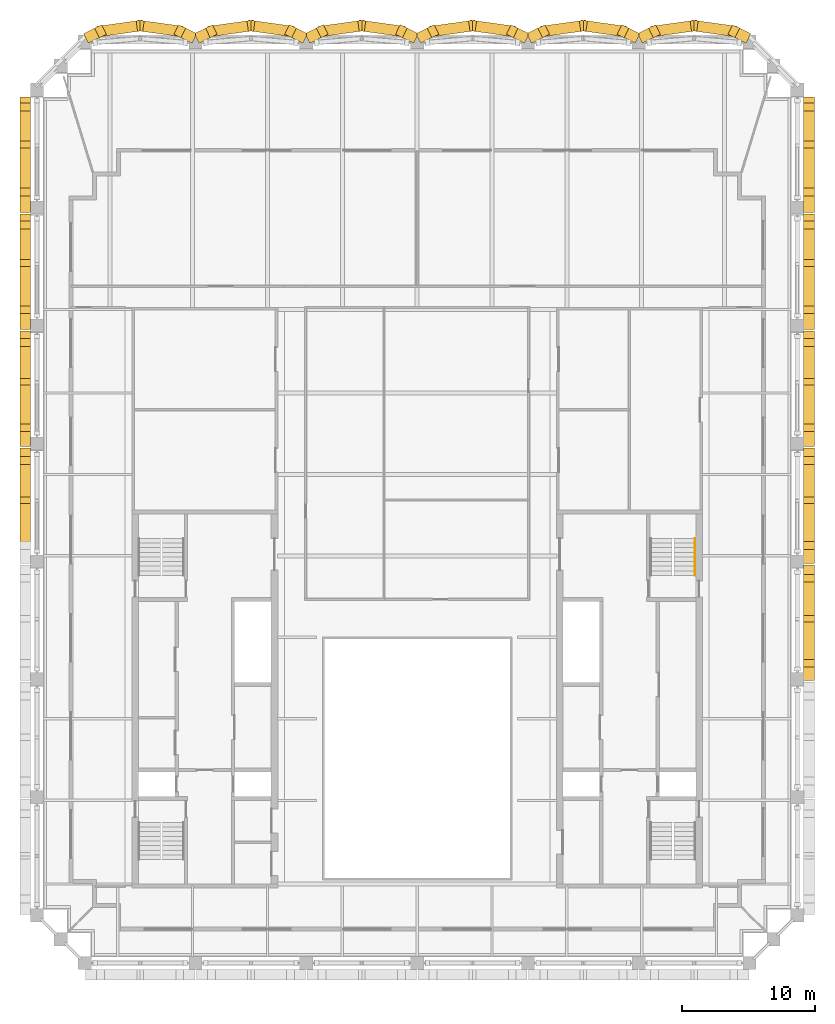
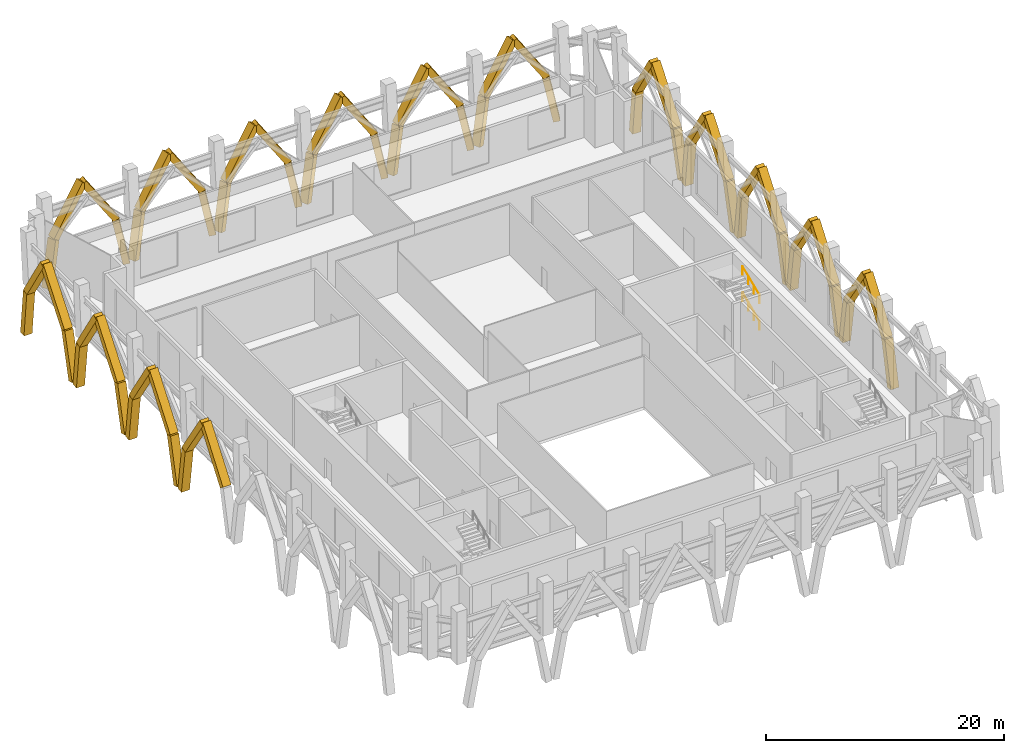
# One storey, part 13 of 13: 59 coverings, 2 railings.
"""IFC4 building model written with IfcOpenShell, lengths in metres."""

from ifc_helpers import new_model, si_unit, direction, frame, origin, origin_2d, place, context, subcontext, project, spatial, rectangle, circle, extrude, material, material_profile, profile_set, type_object, element, save


model = new_model("IFC4")

# Units and contexts
model_context = context("Model", 3, precision=1e-05, world=origin(), true_north=direction((0.0, 1.0)))
body_context = subcontext(model_context, "Body", "Model", "MODEL_VIEW")
ifc_project = project(units=[si_unit("LENGTHUNIT", "METRE"), si_unit("AREAUNIT", "SQUARE_METRE"), si_unit("VOLUMEUNIT", "CUBIC_METRE"), si_unit("PLANEANGLEUNIT", "RADIAN"), si_unit("MASSUNIT", "GRAM", prefix="KILO")], contexts=[model_context])

# Site, building, storey
site_placement = place(None, origin())
site = spatial("IfcSite", under=ifc_project, at=site_placement, CompositionType="ELEMENT")
building_placement = place(site_placement, origin())
building = spatial("IfcBuilding", under=site, at=building_placement, Name="Ogive Exchange Tower", CompositionType="ELEMENT")
storey_placement = place(building_placement, frame((0.0, 0.0, 363.60009765625)))
storey = spatial("IfcBuildingStorey", under=building, at=storey_placement, Name="L80", CompositionType="ELEMENT", Elevation=363.60009765625)

# Coverings
ifc_material_1 = material(Name="Precast concrete C50/60", Category="concrete")
ifc_material_profile = material_profile(ifc_material_1, rectangle(XDim=0.800048828125, YDim=0.60009765625, at=origin_2d()), Name="RIB 800 x 600")
ifc_profile_set = profile_set([ifc_material_profile], Name="Precast concrete C50/60")
covering_type = type_object("IfcCoveringType", Name="Precast tracery rib 800 x 600 C50/60", PredefinedType="CLADDING", material=ifc_profile_set)
covering_1_placement = place(storey_placement, frame((29.530029296875, 13.18603515625, -4.2001953125), z_axis=(0.0, 0.215254606968, 0.976557962529), x_axis=(-1.0, 0.0, 0.0)))
element("IfcCovering", 1, at=covering_1_placement, inside=storey, type_object=covering_type, Name="Tracery rib 11a", PredefinedType="CLADDING", context=body_context, shape_type="SweptSolid", body=[
    extrude(rectangle(XDim=0.800048828125, YDim=0.60009765625, at=origin_2d()), origin(), (0.0, 0.0, 1.0), 4.6591796875),
])
covering_2_placement = place(storey_placement, frame((29.530029296875, 14.18896484375, 0.349853515625), z_axis=(0.0, 0.593128303464, 0.80510795278), x_axis=(-1.0, 0.0, 0.0)))
element("IfcCovering", 2, at=covering_2_placement, inside=storey, type_object=covering_type, Name="Tracery rib 11a", PredefinedType="CLADDING", context=body_context, shape_type="SweptSolid", body=[
    extrude(rectangle(XDim=0.800048828125, YDim=0.60009765625, at=origin_2d()), origin(), (0.0, 0.0, 1.0), 5.6513671875),
])
covering_3_placement = place(storey_placement, frame((29.530029296875, 21.304931640625, -4.2001953125), z_axis=(0.0, -0.153547099425, 0.988141330103), x_axis=(1.0, 0.0, 0.0)))
element("IfcCovering", 3, at=covering_3_placement, inside=storey, type_object=covering_type, Name="Tracery rib 11b", PredefinedType="CLADDING", context=body_context, shape_type="SweptSolid", body=[
    extrude(rectangle(XDim=0.800048828125, YDim=0.60009765625, at=origin_2d()), origin(), (0.0, 0.0, 1.0), 4.604736328125),
])
covering_4_placement = place(storey_placement, frame((29.530029296875, 20.597900390625, 0.349853515625), z_axis=(0.0, -0.557667039422, 0.830064740332), x_axis=(1.0, 0.0, 0.0)))
element("IfcCovering", 4, at=covering_4_placement, inside=storey, type_object=covering_type, Name="Tracery rib 11b", PredefinedType="CLADDING", context=body_context, shape_type="SweptSolid", body=[
    extrude(rectangle(XDim=0.800048828125, YDim=0.60009765625, at=origin_2d()), origin(), (0.0, 0.0, 1.0), 5.4814453125),
])
covering_5_placement = place(storey_placement, frame((29.530029296875, 22.0048828125, -4.2001953125), z_axis=(0.0, 0.227099114365, 0.973871650812), x_axis=(-1.0, 0.0, 0.0)))
element("IfcCovering", 5, at=covering_5_placement, inside=storey, type_object=covering_type, Name="Tracery rib 12a", PredefinedType="CLADDING", context=body_context, shape_type="SweptSolid", body=[
    extrude(rectangle(XDim=0.800048828125, YDim=0.60009765625, at=origin_2d()), origin(), (0.0, 0.0, 1.0), 4.672119140625),
])
covering_6_placement = place(storey_placement, frame((29.530029296875, 23.06591796875, 0.349853515625), z_axis=(0.0, 0.599841999568, 0.800118475948), x_axis=(-1.0, 0.0, 0.0)))
element("IfcCovering", 6, at=covering_6_placement, inside=storey, type_object=covering_type, Name="Tracery rib 12a", PredefinedType="CLADDING", context=body_context, shape_type="SweptSolid", body=[
    extrude(rectangle(XDim=0.800048828125, YDim=0.60009765625, at=origin_2d()), origin(), (0.0, 0.0, 1.0), 5.686767578125),
])
covering_7_placement = place(storey_placement, frame((29.530029296875, 30.123046875, -4.2001953125), z_axis=(0.0, -0.140982564658, 0.990012078948), x_axis=(1.0, 0.0, 0.0)))
element("IfcCovering", 7, at=covering_7_placement, inside=storey, type_object=covering_type, Name="Tracery rib 12b", PredefinedType="CLADDING", context=body_context, shape_type="SweptSolid", body=[
    extrude(rectangle(XDim=0.800048828125, YDim=0.60009765625, at=origin_2d()), origin(), (0.0, 0.0, 1.0), 4.595947265625),
])
covering_8_placement = place(storey_placement, frame((29.530029296875, 29.47509765625, 0.349853515625), z_axis=(0.0, -0.550204741381, 0.835029785434), x_axis=(1.0, 0.0, 0.0)))
element("IfcCovering", 8, at=covering_8_placement, inside=storey, type_object=covering_type, Name="Tracery rib 12b", PredefinedType="CLADDING", context=body_context, shape_type="SweptSolid", body=[
    extrude(rectangle(XDim=0.800048828125, YDim=0.60009765625, at=origin_2d()), origin(), (0.0, 0.0, 1.0), 5.448974609375),
])
covering_9_placement = place(storey_placement, frame((29.530029296875, 30.822998046875, -4.2001953125), z_axis=(0.0, 0.239040208446, 0.971009669749), x_axis=(-1.0, 0.0, 0.0)))
element("IfcCovering", 9, at=covering_9_placement, inside=storey, type_object=covering_type, Name="Tracery rib 13a", PredefinedType="CLADDING", context=body_context, shape_type="SweptSolid", body=[
    extrude(rectangle(XDim=0.800048828125, YDim=0.60009765625, at=origin_2d()), origin(), (0.0, 0.0, 1.0), 4.685791015625),
])
covering_10_placement = place(storey_placement, frame((29.530029296875, 31.943115234375, 0.349853515625), z_axis=(0.0, 0.606512259074, 0.795074134653), x_axis=(-1.0, 0.0, 0.0)))
element("IfcCovering", 10, at=covering_10_placement, inside=storey, type_object=covering_type, Name="Tracery rib 13a", PredefinedType="CLADDING", context=body_context, shape_type="SweptSolid", body=[
    extrude(rectangle(XDim=0.800048828125, YDim=0.60009765625, at=origin_2d()), origin(), (0.0, 0.0, 1.0), 5.722900390625),
])
covering_11_placement = place(storey_placement, frame((29.530029296875, 38.94091796875, -4.2001953125), z_axis=(0.0, -0.128349537581, 0.991728993326), x_axis=(1.0, 0.0, 0.0)))
element("IfcCovering", 11, at=covering_11_placement, inside=storey, type_object=covering_type, Name="Tracery rib 13b", PredefinedType="CLADDING", context=body_context, shape_type="SweptSolid", body=[
    extrude(rectangle(XDim=0.800048828125, YDim=0.60009765625, at=origin_2d()), origin(), (0.0, 0.0, 1.0), 4.587890625),
])
covering_12_placement = place(storey_placement, frame((29.530029296875, 38.35205078125, 0.349853515625), z_axis=(0.0, -0.542449220469, 0.840088592478), x_axis=(1.0, 0.0, 0.0)))
element("IfcCovering", 12, at=covering_12_placement, inside=storey, type_object=covering_type, Name="Tracery rib 13b", PredefinedType="CLADDING", context=body_context, shape_type="SweptSolid", body=[
    extrude(rectangle(XDim=0.800048828125, YDim=0.60009765625, at=origin_2d()), origin(), (0.0, 0.0, 1.0), 5.416259765625),
])
covering_13_placement = place(storey_placement, frame((29.530029296875, 39.64111328125, -4.2001953125), z_axis=(0.0, 0.251019838357, 0.967981942368), x_axis=(-1.0, 0.0, 0.0)))
element("IfcCovering", 13, at=covering_13_placement, inside=storey, type_object=covering_type, Name="Tracery rib 14a", PredefinedType="CLADDING", context=body_context, shape_type="SweptSolid", body=[
    extrude(rectangle(XDim=0.800048828125, YDim=0.60009765625, at=origin_2d()), origin(), (0.0, 0.0, 1.0), 4.700439453125),
])
covering_14_placement = place(storey_placement, frame((29.530029296875, 40.821044921875, 0.349853515625), z_axis=(0.0, 0.61287160665, 0.790182506616), x_axis=(-1.0, 0.0, 0.0)))
element("IfcCovering", 14, at=covering_14_placement, inside=storey, type_object=covering_type, Name="Tracery rib 14a", PredefinedType="CLADDING", context=body_context, shape_type="SweptSolid", body=[
    extrude(rectangle(XDim=0.800048828125, YDim=0.60009765625, at=origin_2d()), origin(), (0.0, 0.0, 1.0), 5.75830078125),
])
covering_15_placement = place(storey_placement, frame((29.530029296875, 47.759033203125, -4.2001953125), z_axis=(0.0, -0.115706305329, 0.993283469563), x_axis=(1.0, 0.0, 0.0)))
element("IfcCovering", 15, at=covering_15_placement, inside=storey, type_object=covering_type, Name="Tracery rib 14b", PredefinedType="CLADDING", context=body_context, shape_type="SweptSolid", body=[
    extrude(rectangle(XDim=0.800048828125, YDim=0.60009765625, at=origin_2d()), origin(), (0.0, 0.0, 1.0), 4.580810546875),
])
covering_16_placement = place(storey_placement, frame((29.530029296875, 47.22900390625, 0.349853515625), z_axis=(0.0, -0.534682024179, 0.845053331465), x_axis=(1.0, 0.0, 0.0)))
element("IfcCovering", 16, at=covering_16_placement, inside=storey, type_object=covering_type, Name="Tracery rib 14b", PredefinedType="CLADDING", context=body_context, shape_type="SweptSolid", body=[
    extrude(rectangle(XDim=0.800048828125, YDim=0.60009765625, at=origin_2d()), origin(), (0.0, 0.0, 1.0), 5.38427734375),
])
covering_17_placement = place(storey_placement, frame((29.530029296875, 48.458984375, -4.2001953125), z_axis=(0.0, 0.262740648098, 0.964866494307), x_axis=(-1.0, 0.0, 0.0)))
element("IfcCovering", 17, at=covering_17_placement, inside=storey, type_object=covering_type, Name="Tracery rib 15a", PredefinedType="CLADDING", context=body_context, shape_type="SweptSolid", body=[
    extrude(rectangle(XDim=0.800048828125, YDim=0.60009765625, at=origin_2d()), origin(), (0.0, 0.0, 1.0), 4.7158203125),
])
covering_18_placement = place(storey_placement, frame((29.530029296875, 49.697998046875, 0.349853515625), z_axis=(0.0, 0.619192006969, 0.785239618528), x_axis=(-1.0, 0.0, 0.0)))
element("IfcCovering", 18, at=covering_18_placement, inside=storey, type_object=covering_type, Name="Tracery rib 15a", PredefinedType="CLADDING", context=body_context, shape_type="SweptSolid", body=[
    extrude(rectangle(XDim=0.800048828125, YDim=0.60009765625, at=origin_2d()), origin(), (0.0, 0.0, 1.0), 5.79443359375),
])
covering_19_placement = place(storey_placement, frame((29.530029296875, 56.576904296875, -4.2001953125), z_axis=(0.0, -0.102742547876, 0.994707981699), x_axis=(1.0, 0.0, 0.0)))
element("IfcCovering", 19, at=covering_19_placement, inside=storey, type_object=covering_type, Name="Tracery rib 15b", PredefinedType="CLADDING", context=body_context, shape_type="SweptSolid", body=[
    extrude(rectangle(XDim=0.800048828125, YDim=0.60009765625, at=origin_2d()), origin(), (0.0, 0.0, 1.0), 4.57421875),
])
covering_20_placement = place(storey_placement, frame((29.530029296875, 56.10693359375, 0.349853515625), z_axis=(0.0, -0.526941645294, 0.849901466321), x_axis=(1.0, 0.0, 0.0)))
element("IfcCovering", 20, at=covering_20_placement, inside=storey, type_object=covering_type, Name="Tracery rib 15b", PredefinedType="CLADDING", context=body_context, shape_type="SweptSolid", body=[
    extrude(rectangle(XDim=0.800048828125, YDim=0.60009765625, at=origin_2d()), origin(), (0.0, 0.0, 1.0), 5.353515625),
])
covering_21_placement = place(storey_placement, frame((24.699951171875, 61.406982421875, -4.2001953125), z_axis=(-0.180790453916, 0.08913389821, 0.979474328384), x_axis=(-0.442200546902, -0.896916203622, 0.0)))
element("IfcCovering", 21, at=covering_21_placement, inside=storey, type_object=covering_type, Name="Tracery rib 18a", PredefinedType="CLADDING", context=body_context, shape_type="SweptSolid", body=[
    extrude(rectangle(XDim=0.800048828125, YDim=0.60009765625, at=origin_2d()), origin(), (0.0, 0.0, 1.0), 4.6455078125),
])
covering_22_placement = place(storey_placement, frame((23.860107421875, 61.821044921875, 0.349853515625), z_axis=(-0.546964673967, 0.075869149182, 0.833710691807), x_axis=(-0.137393960272, -0.990516481277, 0.0)))
element("IfcCovering", 22, at=covering_22_placement, inside=storey, type_object=covering_type, Name="Tracery rib 18a", PredefinedType="CLADDING", context=body_context, shape_type="SweptSolid", body=[
    extrude(rectangle(XDim=0.800048828125, YDim=0.60009765625, at=origin_2d()), origin(), (0.0, 0.0, 1.0), 5.45751953125),
])
covering_23_placement = place(storey_placement, frame((17.050048828125, 61.406982421875, -4.2001953125), z_axis=(0.180790453916, 0.08913389821, 0.979474328384), x_axis=(-0.442200546902, 0.896916203622, 0.0)))
element("IfcCovering", 23, at=covering_23_placement, inside=storey, type_object=covering_type, Name="Tracery rib 18b", PredefinedType="CLADDING", context=body_context, shape_type="SweptSolid", body=[
    extrude(rectangle(XDim=0.800048828125, YDim=0.60009765625, at=origin_2d()), origin(), (0.0, 0.0, 1.0), 4.6455078125),
])
covering_24_placement = place(storey_placement, frame((17.889892578125, 61.821044921875, 0.349853515625), z_axis=(0.546964673967, 0.075869149182, 0.833710691807), x_axis=(-0.137393960272, 0.990516481277, 0.0)))
element("IfcCovering", 24, at=covering_24_placement, inside=storey, type_object=covering_type, Name="Tracery rib 18b", PredefinedType="CLADDING", context=body_context, shape_type="SweptSolid", body=[
    extrude(rectangle(XDim=0.800048828125, YDim=0.60009765625, at=origin_2d()), origin(), (0.0, 0.0, 1.0), 5.45751953125),
])
covering_25_placement = place(storey_placement, frame((16.35009765625, 61.406982421875, -4.2001953125), z_axis=(-0.180841290774, 0.089133051192, 0.97946502068), x_axis=(-0.442097157658, -0.896967169517, 0.0)))
element("IfcCovering", 25, at=covering_25_placement, inside=storey, type_object=covering_type, Name="Tracery rib 19a", PredefinedType="CLADDING", context=body_context, shape_type="SweptSolid", body=[
    extrude(rectangle(XDim=0.800048828125, YDim=0.60009765625, at=origin_2d()), origin(), (0.0, 0.0, 1.0), 4.6455078125),
])
covering_26_placement = place(storey_placement, frame((15.510009765625, 61.821044921875, 0.349853515625), z_axis=(-0.546964673967, 0.075869149182, 0.833710691807), x_axis=(-0.137393960272, -0.990516481277, 0.0)))
element("IfcCovering", 26, at=covering_26_placement, inside=storey, type_object=covering_type, Name="Tracery rib 19a", PredefinedType="CLADDING", context=body_context, shape_type="SweptSolid", body=[
    extrude(rectangle(XDim=0.800048828125, YDim=0.60009765625, at=origin_2d()), origin(), (0.0, 0.0, 1.0), 5.45751953125),
])
covering_27_placement = place(storey_placement, frame((8.699951171875, 61.406982421875, -4.2001953125), z_axis=(0.180841290774, 0.089133051192, 0.97946502068), x_axis=(-0.442097157658, 0.896967169517, 0.0)))
element("IfcCovering", 27, at=covering_27_placement, inside=storey, type_object=covering_type, Name="Tracery rib 19b", PredefinedType="CLADDING", context=body_context, shape_type="SweptSolid", body=[
    extrude(rectangle(XDim=0.800048828125, YDim=0.60009765625, at=origin_2d()), origin(), (0.0, 0.0, 1.0), 4.6455078125),
])
covering_28_placement = place(storey_placement, frame((9.5400390625, 61.821044921875, 0.349853515625), z_axis=(0.546933321786, 0.075871005541, 0.833731090963), x_axis=(-0.137404985959, 0.990514951848, 0.0)))
element("IfcCovering", 28, at=covering_28_placement, inside=storey, type_object=covering_type, Name="Tracery rib 19b", PredefinedType="CLADDING", context=body_context, shape_type="SweptSolid", body=[
    extrude(rectangle(XDim=0.800048828125, YDim=0.60009765625, at=origin_2d()), origin(), (0.0, 0.0, 1.0), 5.45751953125),
])
covering_29_placement = place(storey_placement, frame((8.0, 61.406982421875, -4.2001953125), z_axis=(-0.180841290774, 0.089133051192, 0.97946502068), x_axis=(-0.442097157658, -0.896967169517, 0.0)))
element("IfcCovering", 29, at=covering_29_placement, inside=storey, type_object=covering_type, Name="Tracery rib 20a", PredefinedType="CLADDING", context=body_context, shape_type="SweptSolid", body=[
    extrude(rectangle(XDim=0.800048828125, YDim=0.60009765625, at=origin_2d()), origin(), (0.0, 0.0, 1.0), 4.6455078125),
])
covering_30_placement = place(storey_placement, frame((7.159912109375, 61.821044921875, 0.349853515625), z_axis=(-0.546933321786, 0.075871005541, 0.833731090963), x_axis=(-0.137404985959, -0.990514951848, 0.0)))
element("IfcCovering", 30, at=covering_30_placement, inside=storey, type_object=covering_type, Name="Tracery rib 20a", PredefinedType="CLADDING", context=body_context, shape_type="SweptSolid", body=[
    extrude(rectangle(XDim=0.800048828125, YDim=0.60009765625, at=origin_2d()), origin(), (0.0, 0.0, 1.0), 5.45751953125),
])
covering_31_placement = place(storey_placement, frame((0.35009765625, 61.406982421875, -4.2001953125), z_axis=(0.180790453916, 0.08913389821, 0.979474328384), x_axis=(-0.442200546902, 0.896916203622, 0.0)))
element("IfcCovering", 31, at=covering_31_placement, inside=storey, type_object=covering_type, Name="Tracery rib 20b", PredefinedType="CLADDING", context=body_context, shape_type="SweptSolid", body=[
    extrude(rectangle(XDim=0.800048828125, YDim=0.60009765625, at=origin_2d()), origin(), (0.0, 0.0, 1.0), 4.6455078125),
])
covering_32_placement = place(storey_placement, frame((1.18994140625, 61.821044921875, 0.349853515625), z_axis=(0.546964673967, 0.075869149182, 0.833710691807), x_axis=(-0.137393960272, 0.990516481277, 0.0)))
element("IfcCovering", 32, at=covering_32_placement, inside=storey, type_object=covering_type, Name="Tracery rib 20b", PredefinedType="CLADDING", context=body_context, shape_type="SweptSolid", body=[
    extrude(rectangle(XDim=0.800048828125, YDim=0.60009765625, at=origin_2d()), origin(), (0.0, 0.0, 1.0), 5.45751953125),
])
covering_33_placement = place(storey_placement, frame((-0.35009765625, 61.406982421875, -4.2001953125), z_axis=(-0.180790453916, 0.08913389821, 0.979474328384), x_axis=(-0.442200546902, -0.896916203622, 0.0)))
element("IfcCovering", 33, at=covering_33_placement, inside=storey, type_object=covering_type, Name="Tracery rib 21a", PredefinedType="CLADDING", context=body_context, shape_type="SweptSolid", body=[
    extrude(rectangle(XDim=0.800048828125, YDim=0.60009765625, at=origin_2d()), origin(), (0.0, 0.0, 1.0), 4.6455078125),
])
covering_34_placement = place(storey_placement, frame((-1.18994140625, 61.821044921875, 0.349853515625), z_axis=(-0.546964673967, 0.075869149182, 0.833710691807), x_axis=(-0.137393960272, -0.990516481277, 0.0)))
element("IfcCovering", 34, at=covering_34_placement, inside=storey, type_object=covering_type, Name="Tracery rib 21a", PredefinedType="CLADDING", context=body_context, shape_type="SweptSolid", body=[
    extrude(rectangle(XDim=0.800048828125, YDim=0.60009765625, at=origin_2d()), origin(), (0.0, 0.0, 1.0), 5.45751953125),
])
covering_35_placement = place(storey_placement, frame((-8.0, 61.406982421875, -4.2001953125), z_axis=(0.180841290774, 0.089133051192, 0.97946502068), x_axis=(-0.442097157658, 0.896967169517, 0.0)))
element("IfcCovering", 35, at=covering_35_placement, inside=storey, type_object=covering_type, Name="Tracery rib 21b", PredefinedType="CLADDING", context=body_context, shape_type="SweptSolid", body=[
    extrude(rectangle(XDim=0.800048828125, YDim=0.60009765625, at=origin_2d()), origin(), (0.0, 0.0, 1.0), 4.6455078125),
])
covering_36_placement = place(storey_placement, frame((-7.159912109375, 61.821044921875, 0.349853515625), z_axis=(0.546933321786, 0.075871005541, 0.833731090963), x_axis=(-0.137404985959, 0.990514951848, 0.0)))
element("IfcCovering", 36, at=covering_36_placement, inside=storey, type_object=covering_type, Name="Tracery rib 21b", PredefinedType="CLADDING", context=body_context, shape_type="SweptSolid", body=[
    extrude(rectangle(XDim=0.800048828125, YDim=0.60009765625, at=origin_2d()), origin(), (0.0, 0.0, 1.0), 5.45751953125),
])
covering_37_placement = place(storey_placement, frame((-8.699951171875, 61.406982421875, -4.2001953125), z_axis=(-0.180841290774, 0.089133051192, 0.97946502068), x_axis=(-0.442097157658, -0.896967169517, 0.0)))
element("IfcCovering", 37, at=covering_37_placement, inside=storey, type_object=covering_type, Name="Tracery rib 22a", PredefinedType="CLADDING", context=body_context, shape_type="SweptSolid", body=[
    extrude(rectangle(XDim=0.800048828125, YDim=0.60009765625, at=origin_2d()), origin(), (0.0, 0.0, 1.0), 4.6455078125),
])
covering_38_placement = place(storey_placement, frame((-9.5400390625, 61.821044921875, 0.349853515625), z_axis=(-0.546933321786, 0.075871005541, 0.833731090963), x_axis=(-0.137404985959, -0.990514951848, 0.0)))
element("IfcCovering", 38, at=covering_38_placement, inside=storey, type_object=covering_type, Name="Tracery rib 22a", PredefinedType="CLADDING", context=body_context, shape_type="SweptSolid", body=[
    extrude(rectangle(XDim=0.800048828125, YDim=0.60009765625, at=origin_2d()), origin(), (0.0, 0.0, 1.0), 5.45751953125),
])
covering_39_placement = place(storey_placement, frame((-16.35009765625, 61.406982421875, -4.2001953125), z_axis=(0.180841290774, 0.089133051192, 0.97946502068), x_axis=(-0.442097157658, 0.896967169517, 0.0)))
element("IfcCovering", 39, at=covering_39_placement, inside=storey, type_object=covering_type, Name="Tracery rib 22b", PredefinedType="CLADDING", context=body_context, shape_type="SweptSolid", body=[
    extrude(rectangle(XDim=0.800048828125, YDim=0.60009765625, at=origin_2d()), origin(), (0.0, 0.0, 1.0), 4.6455078125),
])
covering_40_placement = place(storey_placement, frame((-15.510009765625, 61.821044921875, 0.349853515625), z_axis=(0.546964673967, 0.075869149182, 0.833710691807), x_axis=(-0.137393960272, 0.990516481277, 0.0)))
element("IfcCovering", 40, at=covering_40_placement, inside=storey, type_object=covering_type, Name="Tracery rib 22b", PredefinedType="CLADDING", context=body_context, shape_type="SweptSolid", body=[
    extrude(rectangle(XDim=0.800048828125, YDim=0.60009765625, at=origin_2d()), origin(), (0.0, 0.0, 1.0), 5.45751953125),
])
covering_41_placement = place(storey_placement, frame((-17.050048828125, 61.406982421875, -4.2001953125), z_axis=(-0.180790453916, 0.08913389821, 0.979474328384), x_axis=(-0.442200546902, -0.896916203622, 0.0)))
element("IfcCovering", 41, at=covering_41_placement, inside=storey, type_object=covering_type, Name="Tracery rib 23a", PredefinedType="CLADDING", context=body_context, shape_type="SweptSolid", body=[
    extrude(rectangle(XDim=0.800048828125, YDim=0.60009765625, at=origin_2d()), origin(), (0.0, 0.0, 1.0), 4.6455078125),
])
covering_42_placement = place(storey_placement, frame((-17.889892578125, 61.821044921875, 0.349853515625), z_axis=(-0.546964673967, 0.075869149182, 0.833710691807), x_axis=(-0.137393960272, -0.990516481277, 0.0)))
element("IfcCovering", 42, at=covering_42_placement, inside=storey, type_object=covering_type, Name="Tracery rib 23a", PredefinedType="CLADDING", context=body_context, shape_type="SweptSolid", body=[
    extrude(rectangle(XDim=0.800048828125, YDim=0.60009765625, at=origin_2d()), origin(), (0.0, 0.0, 1.0), 5.45751953125),
])
covering_43_placement = place(storey_placement, frame((-24.699951171875, 61.406982421875, -4.2001953125), z_axis=(0.180790453916, 0.08913389821, 0.979474328384), x_axis=(-0.442200546902, 0.896916203622, 0.0)))
element("IfcCovering", 43, at=covering_43_placement, inside=storey, type_object=covering_type, Name="Tracery rib 23b", PredefinedType="CLADDING", context=body_context, shape_type="SweptSolid", body=[
    extrude(rectangle(XDim=0.800048828125, YDim=0.60009765625, at=origin_2d()), origin(), (0.0, 0.0, 1.0), 4.6455078125),
])
covering_44_placement = place(storey_placement, frame((-23.860107421875, 61.821044921875, 0.349853515625), z_axis=(0.546964673967, 0.075869149182, 0.833710691807), x_axis=(-0.137393960272, 0.990516481277, 0.0)))
element("IfcCovering", 44, at=covering_44_placement, inside=storey, type_object=covering_type, Name="Tracery rib 23b", PredefinedType="CLADDING", context=body_context, shape_type="SweptSolid", body=[
    extrude(rectangle(XDim=0.800048828125, YDim=0.60009765625, at=origin_2d()), origin(), (0.0, 0.0, 1.0), 5.45751953125),
])
covering_45_placement = place(storey_placement, frame((-29.530029296875, 56.576904296875, -4.2001953125), z_axis=(0.0, -0.102742547876, 0.994707981699), x_axis=(1.0, 0.0, 0.0)))
element("IfcCovering", 45, at=covering_45_placement, inside=storey, type_object=covering_type, Name="Tracery rib 26a", PredefinedType="CLADDING", context=body_context, shape_type="SweptSolid", body=[
    extrude(rectangle(XDim=0.800048828125, YDim=0.60009765625, at=origin_2d()), origin(), (0.0, 0.0, 1.0), 4.57421875),
])
covering_46_placement = place(storey_placement, frame((-29.530029296875, 56.10693359375, 0.349853515625), z_axis=(0.0, -0.526941645294, 0.849901466321), x_axis=(1.0, 0.0, 0.0)))
element("IfcCovering", 46, at=covering_46_placement, inside=storey, type_object=covering_type, Name="Tracery rib 26a", PredefinedType="CLADDING", context=body_context, shape_type="SweptSolid", body=[
    extrude(rectangle(XDim=0.800048828125, YDim=0.60009765625, at=origin_2d()), origin(), (0.0, 0.0, 1.0), 5.353515625),
])
covering_47_placement = place(storey_placement, frame((-29.530029296875, 48.458984375, -4.2001953125), z_axis=(0.0, 0.262740648098, 0.964866494307), x_axis=(-1.0, 0.0, 0.0)))
element("IfcCovering", 47, at=covering_47_placement, inside=storey, type_object=covering_type, Name="Tracery rib 26b", PredefinedType="CLADDING", context=body_context, shape_type="SweptSolid", body=[
    extrude(rectangle(XDim=0.800048828125, YDim=0.60009765625, at=origin_2d()), origin(), (0.0, 0.0, 1.0), 4.7158203125),
])
covering_48_placement = place(storey_placement, frame((-29.530029296875, 49.697998046875, 0.349853515625), z_axis=(0.0, 0.619192006969, 0.785239618528), x_axis=(-1.0, 0.0, 0.0)))
element("IfcCovering", 48, at=covering_48_placement, inside=storey, type_object=covering_type, Name="Tracery rib 26b", PredefinedType="CLADDING", context=body_context, shape_type="SweptSolid", body=[
    extrude(rectangle(XDim=0.800048828125, YDim=0.60009765625, at=origin_2d()), origin(), (0.0, 0.0, 1.0), 5.79443359375),
])
covering_49_placement = place(storey_placement, frame((-29.530029296875, 47.759033203125, -4.2001953125), z_axis=(0.0, -0.115706305329, 0.993283469563), x_axis=(1.0, 0.0, 0.0)))
element("IfcCovering", 49, at=covering_49_placement, inside=storey, type_object=covering_type, Name="Tracery rib 27a", PredefinedType="CLADDING", context=body_context, shape_type="SweptSolid", body=[
    extrude(rectangle(XDim=0.800048828125, YDim=0.60009765625, at=origin_2d()), origin(), (0.0, 0.0, 1.0), 4.580810546875),
])
covering_50_placement = place(storey_placement, frame((-29.530029296875, 47.22900390625, 0.349853515625), z_axis=(0.0, -0.534682024179, 0.845053331465), x_axis=(1.0, 0.0, 0.0)))
element("IfcCovering", 50, at=covering_50_placement, inside=storey, type_object=covering_type, Name="Tracery rib 27a", PredefinedType="CLADDING", context=body_context, shape_type="SweptSolid", body=[
    extrude(rectangle(XDim=0.800048828125, YDim=0.60009765625, at=origin_2d()), origin(), (0.0, 0.0, 1.0), 5.38427734375),
])
covering_51_placement = place(storey_placement, frame((-29.530029296875, 39.64111328125, -4.2001953125), z_axis=(0.0, 0.251019838357, 0.967981942368), x_axis=(-1.0, 0.0, 0.0)))
element("IfcCovering", 51, at=covering_51_placement, inside=storey, type_object=covering_type, Name="Tracery rib 27b", PredefinedType="CLADDING", context=body_context, shape_type="SweptSolid", body=[
    extrude(rectangle(XDim=0.800048828125, YDim=0.60009765625, at=origin_2d()), origin(), (0.0, 0.0, 1.0), 4.700439453125),
])
covering_52_placement = place(storey_placement, frame((-29.530029296875, 40.821044921875, 0.349853515625), z_axis=(0.0, 0.61287160665, 0.790182506616), x_axis=(-1.0, 0.0, 0.0)))
element("IfcCovering", 52, at=covering_52_placement, inside=storey, type_object=covering_type, Name="Tracery rib 27b", PredefinedType="CLADDING", context=body_context, shape_type="SweptSolid", body=[
    extrude(rectangle(XDim=0.800048828125, YDim=0.60009765625, at=origin_2d()), origin(), (0.0, 0.0, 1.0), 5.75830078125),
])
covering_53_placement = place(storey_placement, frame((-29.530029296875, 38.94091796875, -4.2001953125), z_axis=(0.0, -0.128349537581, 0.991728993326), x_axis=(1.0, 0.0, 0.0)))
element("IfcCovering", 53, at=covering_53_placement, inside=storey, type_object=covering_type, Name="Tracery rib 28a", PredefinedType="CLADDING", context=body_context, shape_type="SweptSolid", body=[
    extrude(rectangle(XDim=0.800048828125, YDim=0.60009765625, at=origin_2d()), origin(), (0.0, 0.0, 1.0), 4.587890625),
])
covering_54_placement = place(storey_placement, frame((-29.530029296875, 38.35205078125, 0.349853515625), z_axis=(0.0, -0.542449220469, 0.840088592478), x_axis=(1.0, 0.0, 0.0)))
element("IfcCovering", 54, at=covering_54_placement, inside=storey, type_object=covering_type, Name="Tracery rib 28a", PredefinedType="CLADDING", context=body_context, shape_type="SweptSolid", body=[
    extrude(rectangle(XDim=0.800048828125, YDim=0.60009765625, at=origin_2d()), origin(), (0.0, 0.0, 1.0), 5.416259765625),
])
covering_55_placement = place(storey_placement, frame((-29.530029296875, 30.822998046875, -4.2001953125), z_axis=(0.0, 0.239040208446, 0.971009669749), x_axis=(-1.0, 0.0, 0.0)))
element("IfcCovering", 55, at=covering_55_placement, inside=storey, type_object=covering_type, Name="Tracery rib 28b", PredefinedType="CLADDING", context=body_context, shape_type="SweptSolid", body=[
    extrude(rectangle(XDim=0.800048828125, YDim=0.60009765625, at=origin_2d()), origin(), (0.0, 0.0, 1.0), 4.685791015625),
])
covering_56_placement = place(storey_placement, frame((-29.530029296875, 31.943115234375, 0.349853515625), z_axis=(0.0, 0.606512259074, 0.795074134653), x_axis=(-1.0, 0.0, 0.0)))
element("IfcCovering", 56, at=covering_56_placement, inside=storey, type_object=covering_type, Name="Tracery rib 28b", PredefinedType="CLADDING", context=body_context, shape_type="SweptSolid", body=[
    extrude(rectangle(XDim=0.800048828125, YDim=0.60009765625, at=origin_2d()), origin(), (0.0, 0.0, 1.0), 5.722900390625),
])
covering_57_placement = place(storey_placement, frame((-29.530029296875, 30.123046875, -4.2001953125), z_axis=(0.0, -0.140982564658, 0.990012078948), x_axis=(1.0, 0.0, 0.0)))
element("IfcCovering", 57, at=covering_57_placement, inside=storey, type_object=covering_type, Name="Tracery rib 29a", PredefinedType="CLADDING", context=body_context, shape_type="SweptSolid", body=[
    extrude(rectangle(XDim=0.800048828125, YDim=0.60009765625, at=origin_2d()), origin(), (0.0, 0.0, 1.0), 4.595947265625),
])
covering_58_placement = place(storey_placement, frame((-29.530029296875, 29.47509765625, 0.349853515625), z_axis=(0.0, -0.550204741381, 0.835029785434), x_axis=(1.0, 0.0, 0.0)))
element("IfcCovering", 58, at=covering_58_placement, inside=storey, type_object=covering_type, Name="Tracery rib 29a", PredefinedType="CLADDING", context=body_context, shape_type="SweptSolid", body=[
    extrude(rectangle(XDim=0.800048828125, YDim=0.60009765625, at=origin_2d()), origin(), (0.0, 0.0, 1.0), 5.448974609375),
])
covering_59_placement = place(storey_placement, frame((-29.530029296875, 23.06591796875, 0.349853515625), z_axis=(0.0, 0.599841999568, 0.800118475948), x_axis=(-1.0, 0.0, 0.0)))
element("IfcCovering", 59, at=covering_59_placement, inside=storey, type_object=covering_type, Name="Tracery rib 29b", PredefinedType="CLADDING", context=body_context, shape_type="SweptSolid", body=[
    extrude(rectangle(XDim=0.800048828125, YDim=0.60009765625, at=origin_2d()), origin(), (0.0, 0.0, 1.0), 5.686767578125),
])

# Railings
ifc_material_2 = material(Name="Stainless steel", Category="steel")
railing_type = type_object("IfcRailingType", Name="Stair handrail 900", PredefinedType="HANDRAIL", material=ifc_material_2)
for number, where, name in (
    (60, (20.949951171875, 20.800048828125, 0.14990234375), "L80 ST4 stair handrail 1"),
    (61, (20.949951171875, 20.800048828125, 2.849853515625), "L80 ST4 stair handrail 3"),
):
    element("IfcRailing", number, at=place(storey_placement, frame(where)), inside=storey, type_object=railing_type, Name=name, PredefinedType="HANDRAIL", context=body_context, shape_type="SweptSolid", body=[
        extrude(circle(Radius=0.02392578125, at=origin_2d()), frame((0.0, 0.0, 0.8759765625), z_axis=(0.0, 0.919549827119, 0.392973428423), x_axis=(-1.0, 0.0, 0.0)), (0.0, 0.0, 1.0), 3.053466796875),
        extrude(circle(Radius=0.02099609375, at=origin_2d()), origin(), (0.0, 0.0, 1.0), 0.851806640625),
        extrude(circle(Radius=0.02099609375, at=origin_2d()), frame((0.0, 0.93603515625, 0.39990234375)), (0.0, 0.0, 1.0), 0.851806640625),
        extrude(circle(Radius=0.02099609375, at=origin_2d()), frame((0.0, 1.871826171875, 0.800048828125)), (0.0, 0.0, 1.0), 0.851806640625),
        extrude(circle(Radius=0.02099609375, at=origin_2d()), frame((0.0, 2.807861328125, 1.199951171875)), (0.0, 0.0, 1.0), 0.851806640625),
    ])

save(model, "model.ifc")
